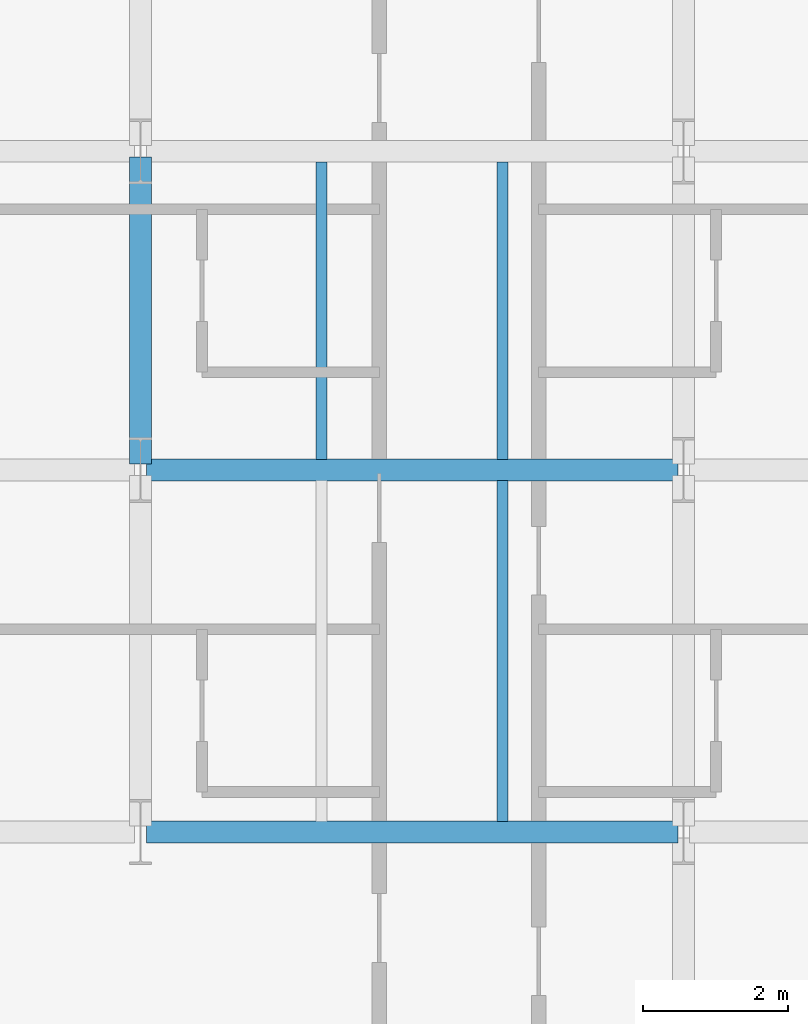
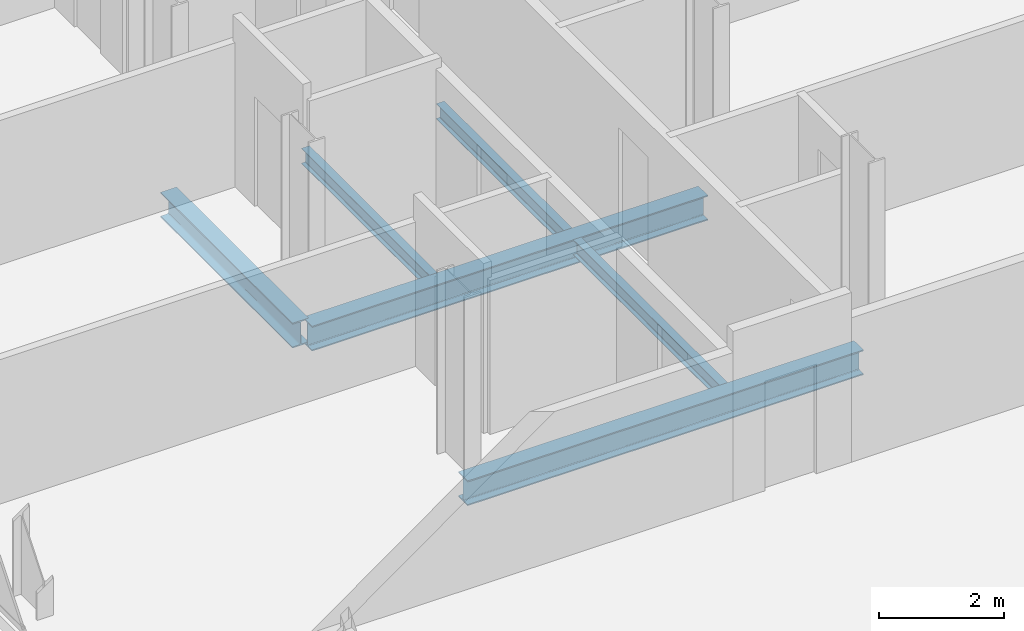
# One storey, part 6 of 33: 6 beams.
"""IFC4 building model written with IfcOpenShell, lengths in metres."""

from ifc_helpers import new_model, si_unit, direction, frame, origin, origin_2d, place, context, subcontext, project, spatial, i_section, extrude, material, material_profile, profile_set, type_object, element, save


model = new_model("IFC4")

# Units and contexts
model_context = context("Model", 3, precision=1e-05, world=origin(), true_north=direction((0.0, 1.0)))
body_context = subcontext(model_context, "Body", "Model", "MODEL_VIEW")
ifc_project = project(units=[si_unit("LENGTHUNIT", "METRE"), si_unit("AREAUNIT", "SQUARE_METRE"), si_unit("VOLUMEUNIT", "CUBIC_METRE"), si_unit("PLANEANGLEUNIT", "RADIAN"), si_unit("MASSUNIT", "GRAM", prefix="KILO")], contexts=[model_context])

# Site, building, storey
site_placement = place(None, origin())
site = spatial("IfcSite", under=ifc_project, at=site_placement, CompositionType="ELEMENT")
building_placement = place(site_placement, origin())
building = spatial("IfcBuilding", under=site, at=building_placement, Name="Catumbela Crestline Tower", CompositionType="ELEMENT")
storey_placement = place(building_placement, frame((0.0, 0.0, 72.6)))
storey = spatial("IfcBuildingStorey", under=building, at=storey_placement, Name="L18", CompositionType="ELEMENT", Elevation=72.6)

# Beams
ifc_material = material(Name="Structural steel S355J2", Category="steel")
ifc_material_profile_1 = material_profile(ifc_material, i_section(OverallWidth=0.3, OverallDepth=0.49, WebThickness=0.012, FlangeThickness=0.023, FilletRadius=0.027, at=origin_2d()), Name="HEA 500")
ifc_profile_set_1 = profile_set([ifc_material_profile_1], Name="Structural steel S355J2")
beam_type_1 = type_object("IfcBeamType", Name="BG-HEA500", PredefinedType="BEAM", material=ifc_profile_set_1)
for number, where, z_axis, x_axis, name in (
    (1, (8.58, 8.6, -0.505), (1.0, 0.0, 0.0), (0.0, 1.0, 0.0), "L18 Beam BM-L18-WEW49"),
    (2, (8.58, 13.6, -0.505), (1.0, 0.0, 0.0), (0.0, 1.0, 0.0), "L18 Beam BM-L18-WEW52"),
):
    element("IfcBeam", number, at=place(storey_placement, frame(where, z_axis=z_axis, x_axis=x_axis)), inside=storey, type_object=beam_type_1, Name=name, PredefinedType="BEAM", context=body_context, shape_type="SweptSolid", body=[
        extrude(i_section(OverallWidth=0.3, OverallDepth=0.49, WebThickness=0.012, FlangeThickness=0.023, FilletRadius=0.027, at=origin_2d()), origin(), (0.0, 0.0, 1.0), 7.34),
    ])
beam_1_placement = place(storey_placement, frame((8.5, 13.68, -0.505), z_axis=(0.0, 1.0, 0.0), x_axis=(-1.0, 0.0, 0.0)))
element("IfcBeam", 3, at=beam_1_placement, inside=storey, type_object=beam_type_1, Name="L18 Beam BM-L18-WNS62", PredefinedType="BEAM", context=body_context, shape_type="SweptSolid", body=[
    extrude(i_section(OverallWidth=0.3, OverallDepth=0.49, WebThickness=0.012, FlangeThickness=0.023, FilletRadius=0.027, at=origin_2d()), origin(), (0.0, 0.0, 1.0), 4.24),
])
ifc_material_profile_2 = material_profile(ifc_material, i_section(OverallWidth=0.15, OverallDepth=0.3, WebThickness=0.0071, FlangeThickness=0.0107, FilletRadius=0.015, at=origin_2d()), Name="IPE 300")
ifc_profile_set_2 = profile_set([ifc_material_profile_2], Name="Structural steel S355J2")
beam_type_2 = type_object("IfcBeamType", Name="BJ-IPE300", PredefinedType="JOIST", material=ifc_profile_set_2)
beam_2_placement = place(storey_placement, frame((13.5, 8.747, -0.41), z_axis=(0.0, 1.0, 0.0), x_axis=(-1.0, 0.0, 0.0)))
element("IfcBeam", 4, at=beam_2_placement, inside=storey, type_object=beam_type_2, Name="L18 Joist JS-L18-WG73", PredefinedType="JOIST", context=body_context, shape_type="SweptSolid", body=[
    extrude(i_section(OverallWidth=0.15, OverallDepth=0.3, WebThickness=0.0071, FlangeThickness=0.0107, FilletRadius=0.015, at=origin_2d()), origin(), (0.0, 0.0, 1.0), 4.706),
])
for number, where, z_axis, x_axis, name in (
    (5, (11.0, 13.747, -0.41), (0.0, 1.0, 0.0), (-1.0, 0.0, 0.0), "L18 Joist JS-L18-WG78"),
    (6, (13.5, 13.747, -0.41), (0.0, 1.0, 0.0), (-1.0, 0.0, 0.0), "L18 Joist JS-L18-WG79"),
):
    element("IfcBeam", number, at=place(storey_placement, frame(where, z_axis=z_axis, x_axis=x_axis)), inside=storey, type_object=beam_type_2, Name=name, PredefinedType="JOIST", context=body_context, shape_type="SweptSolid", body=[
        extrude(i_section(OverallWidth=0.15, OverallDepth=0.3, WebThickness=0.0071, FlangeThickness=0.0107, FilletRadius=0.015, at=origin_2d()), origin(), (0.0, 0.0, 1.0), 4.106),
    ])

save(model, "model.ifc")
